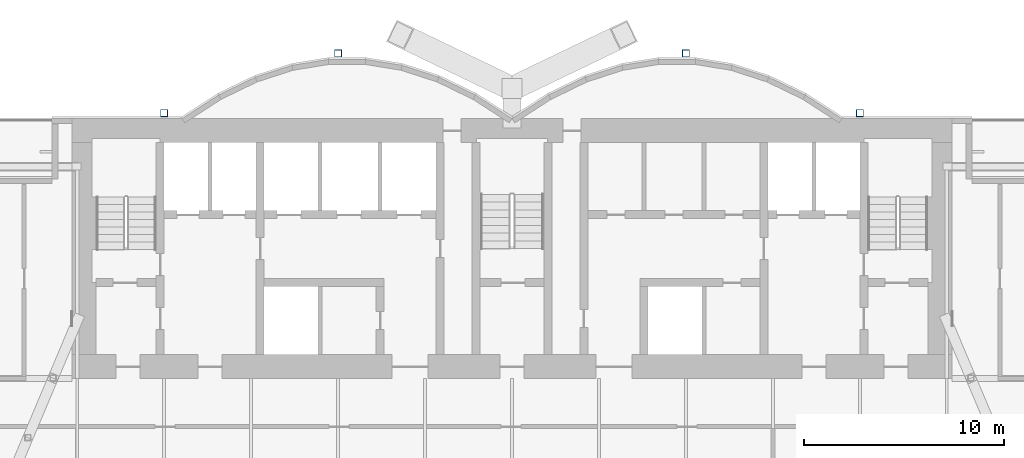
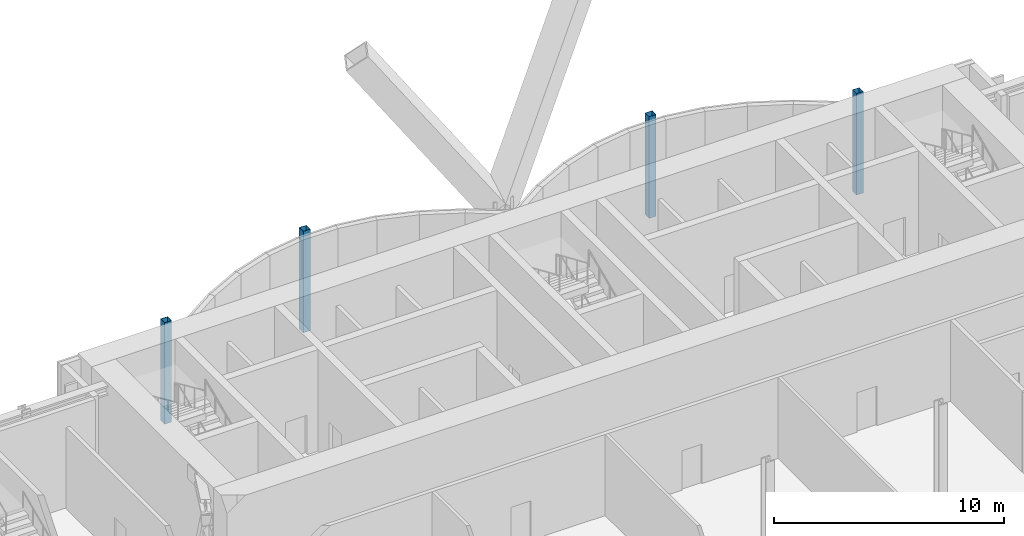
# One storey, part 2 of 32: 4 columns.
"""IFC4 building model written with IfcOpenShell, lengths in metres."""

from ifc_helpers import new_model, si_unit, direction, frame, origin, origin_2d, place, context, subcontext, project, spatial, hollow_rectangle, extrude, material, material_profile, profile_set, type_object, element, save


model = new_model("IFC4")

# Units and contexts
model_context = context("Model", 3, precision=1e-05, world=origin(), true_north=direction((0.0, 1.0)))
body_context = subcontext(model_context, "Body", "Model", "MODEL_VIEW")
ifc_project = project(units=[si_unit("LENGTHUNIT", "METRE"), si_unit("AREAUNIT", "SQUARE_METRE"), si_unit("VOLUMEUNIT", "CUBIC_METRE"), si_unit("PLANEANGLEUNIT", "RADIAN"), si_unit("MASSUNIT", "GRAM", prefix="KILO")], contexts=[model_context])

# Site, building, storey
site_placement = place(None, origin())
site = spatial("IfcSite", under=ifc_project, at=site_placement, CompositionType="ELEMENT")
building_placement = place(site_placement, origin())
building = spatial("IfcBuilding", under=site, at=building_placement, Name="Bicima Exchange Tower", CompositionType="ELEMENT")
storey_placement = place(building_placement, frame((0.0, 0.0, 84.5)))
storey = spatial("IfcBuildingStorey", under=building, at=storey_placement, Name="L17", CompositionType="ELEMENT", Elevation=84.5)

# Columns
ifc_material = material(Name="Steel ASTM A572 Gr 50", Category="steel")
ifc_material_profile = material_profile(ifc_material, hollow_rectangle(XDim=0.355712890625, YDim=0.355712890625, WallThickness=0.01171875, at=origin_2d()))
ifc_profile_set = profile_set([ifc_material_profile], Name="Steel ASTM A572 Gr 50")
column_type = type_object("IfcColumnType", Name="Rear pilaster HSS14x14x1/2", PredefinedType="COLUMN", material=ifc_profile_set)
for number, where, z_axis, x_axis, name in (
    (1, (-8.699951171875, 3.26904296875, 0.0), (0.0, 0.0, 1.0), (1.0, 0.0, 0.0), "Rear pilaster rexo-8.7r"),
    (2, (-17.39990234375, 0.278076171875, 0.0), (0.0, 0.0, 1.0), (1.0, 0.0, 0.0), "Rear pilaster rexo-17.4r"),
    (3, (8.699951171875, 3.26904296875, 0.0), (0.0, 0.0, 1.0), (1.0, 0.0, 0.0), "Rear pilaster rexo+8.7r"),
    (4, (17.39990234375, 0.278076171875, 0.0), (0.0, 0.0, 1.0), (1.0, 0.0, 0.0), "Rear pilaster rexo+17.4r"),
):
    element("IfcColumn", number, at=place(storey_placement, frame(where, z_axis=z_axis, x_axis=x_axis)), inside=storey, type_object=column_type, Name=name, PredefinedType="COLUMN", context=body_context, shape_type="SweptSolid", body=[
        extrude(hollow_rectangle(XDim=0.355712890625, YDim=0.355712890625, WallThickness=0.01171875, at=origin_2d()), origin(), (0.0, 0.0, 1.0), 5.39990234375),
    ])

save(model, "model.ifc")
